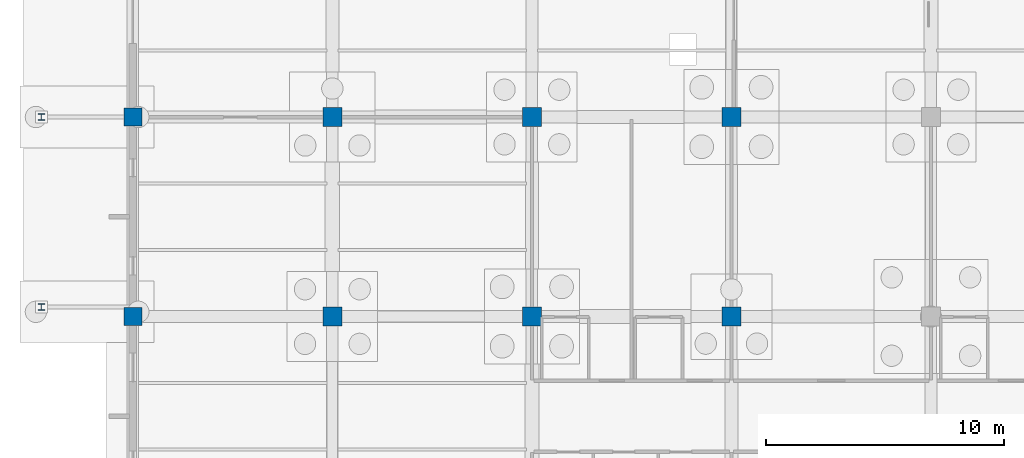
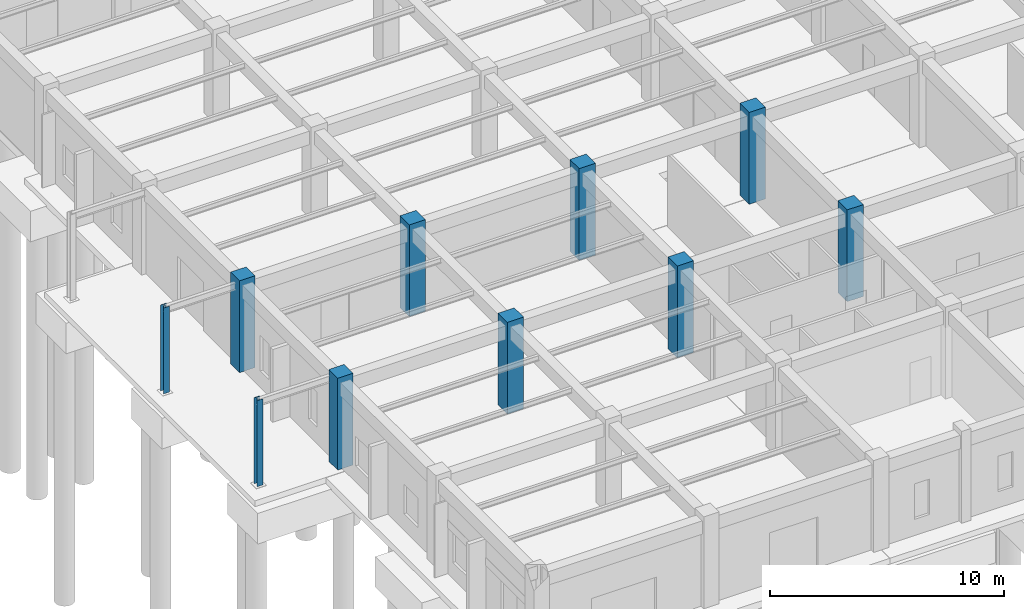
# One storey, part 18 of 192: 10 columns.
"""IFC4 building model written with IfcOpenShell, lengths in metres."""

from ifc_helpers import new_model, si_unit, direction, frame, origin, origin_2d, place, context, subcontext, project, spatial, rectangle, i_section, extrude, material, material_profile, profile_set, type_object, element, save


model = new_model("IFC4")

# Units and contexts
model_context = context("Model", 3, precision=1e-05, world=origin(), true_north=direction((0.0, 1.0)))
body_context = subcontext(model_context, "Body", "Model", "MODEL_VIEW")
ifc_project = project(units=[si_unit("LENGTHUNIT", "METRE"), si_unit("AREAUNIT", "SQUARE_METRE"), si_unit("VOLUMEUNIT", "CUBIC_METRE"), si_unit("PLANEANGLEUNIT", "RADIAN"), si_unit("MASSUNIT", "GRAM", prefix="KILO")], contexts=[model_context])

# Site, building, storey
site_placement = place(None, origin())
site = spatial("IfcSite", under=ifc_project, at=site_placement, CompositionType="ELEMENT")
building_placement = place(site_placement, origin())
building = spatial("IfcBuilding", under=site, at=building_placement, Name="Trelvath General Hospital", CompositionType="ELEMENT")
storey_placement = place(building_placement, origin())
storey = spatial("IfcBuildingStorey", under=building, at=storey_placement, Name="L00", CompositionType="ELEMENT", Elevation=0.0)

# Columns
ifc_material_1 = material(Name="Steel S355", Category="steel")
ifc_material_profile_1 = material_profile(ifc_material_1, i_section(OverallWidth=0.280029296875, OverallDepth=0.27001953125, WebThickness=0.008056640625, FlangeThickness=0.012939453125, at=origin_2d()), Name="HEA280")
ifc_profile_set_1 = profile_set([ifc_material_profile_1], Name="Steel S355")
column_type_1 = type_object("IfcColumnType", Name="CanopyColumn HEA280", PredefinedType="COLUMN", material=ifc_profile_set_1)
for number, where, z_axis, x_axis, name in (
    (1, (-3.85009765625, 17.199951171875, 0.0), (0.0, 0.0, 1.0), (1.0, 0.0, 0.0), "West Drop-Off Canopy Column WC-01"),
    (2, (-3.85009765625, 25.199951171875, 0.0), (0.0, 0.0, 1.0), (1.0, 0.0, 0.0), "West Drop-Off Canopy Column WC-02"),
):
    element("IfcColumn", number, at=place(storey_placement, frame(where, z_axis=z_axis, x_axis=x_axis)), inside=storey, type_object=column_type_1, Name=name, PredefinedType="COLUMN", context=body_context, shape_type="SweptSolid", body=[
        extrude(i_section(OverallWidth=0.280029296875, OverallDepth=0.27001953125, WebThickness=0.008056640625, FlangeThickness=0.012939453125, at=origin_2d()), origin(), (0.0, 0.0, 1.0), 4.5),
    ])
ifc_material_2 = material(Name="Concrete C40/50", Category="concrete")
ifc_material_profile_2 = material_profile(ifc_material_2, rectangle(XDim=0.760009765625, YDim=0.760009765625, at=origin_2d()), Name="RC760x760")
ifc_profile_set_2 = profile_set([ifc_material_profile_2], Name="Concrete C40/50")
column_type_2 = type_object("IfcColumnType", Name="Column RC760", PredefinedType="COLUMN", material=ifc_profile_set_2)
for number, where, z_axis, x_axis, name in (
    (3, (0.0, 16.800048828125, 0.0), (0.0, 0.0, 1.0), (1.0, 0.0, 0.0), "Column C-1C L00"),
    (4, (0.0, 25.199951171875, 0.0), (0.0, 0.0, 1.0), (1.0, 0.0, 0.0), "Column C-1D L00"),
):
    element("IfcColumn", number, at=place(storey_placement, frame(where, z_axis=z_axis, x_axis=x_axis)), inside=storey, type_object=column_type_2, Name=name, PredefinedType="COLUMN", context=body_context, shape_type="SweptSolid", body=[
        extrude(rectangle(XDim=0.760009765625, YDim=0.760009765625, at=origin_2d()), origin(), (0.0, 0.0, 1.0), 4.800048828125),
    ])
ifc_material_3 = material(Name="Concrete C40/50", Category="concrete")
ifc_material_profile_3 = material_profile(ifc_material_3, rectangle(XDim=0.800048828125, YDim=0.800048828125, at=origin_2d()), Name="RC800x800")
ifc_profile_set_3 = profile_set([ifc_material_profile_3], Name="Concrete C40/50")
column_type_3 = type_object("IfcColumnType", Name="Column RC800", PredefinedType="COLUMN", material=ifc_profile_set_3)
for number, where, z_axis, x_axis, name in (
    (5, (8.39990234375, 16.800048828125, 0.0), (0.0, 0.0, 1.0), (1.0, 0.0, 0.0), "Column C-2C L00"),
    (6, (8.39990234375, 25.199951171875, 0.0), (0.0, 0.0, 1.0), (1.0, 0.0, 0.0), "Column C-2D L00"),
    (7, (16.800048828125, 16.800048828125, 0.0), (0.0, 0.0, 1.0), (1.0, 0.0, 0.0), "Column C-3C L00"),
    (8, (16.800048828125, 25.199951171875, 0.0), (0.0, 0.0, 1.0), (1.0, 0.0, 0.0), "Column C-3D L00"),
    (9, (25.199951171875, 16.800048828125, 0.0), (0.0, 0.0, 1.0), (1.0, 0.0, 0.0), "Column C-4C L00"),
    (10, (25.199951171875, 25.199951171875, 0.0), (0.0, 0.0, 1.0), (1.0, 0.0, 0.0), "Column C-4D L00"),
):
    element("IfcColumn", number, at=place(storey_placement, frame(where, z_axis=z_axis, x_axis=x_axis)), inside=storey, type_object=column_type_3, Name=name, PredefinedType="COLUMN", context=body_context, shape_type="SweptSolid", body=[
        extrude(rectangle(XDim=0.800048828125, YDim=0.800048828125, at=origin_2d()), origin(), (0.0, 0.0, 1.0), 4.800048828125),
    ])

save(model, "model.ifc")
